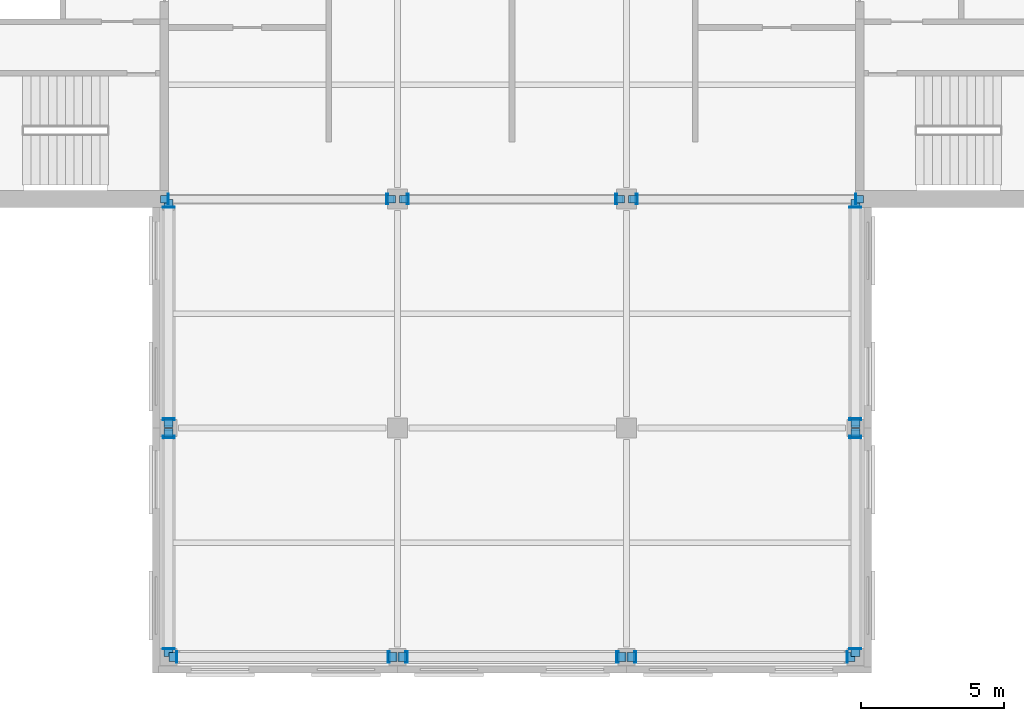
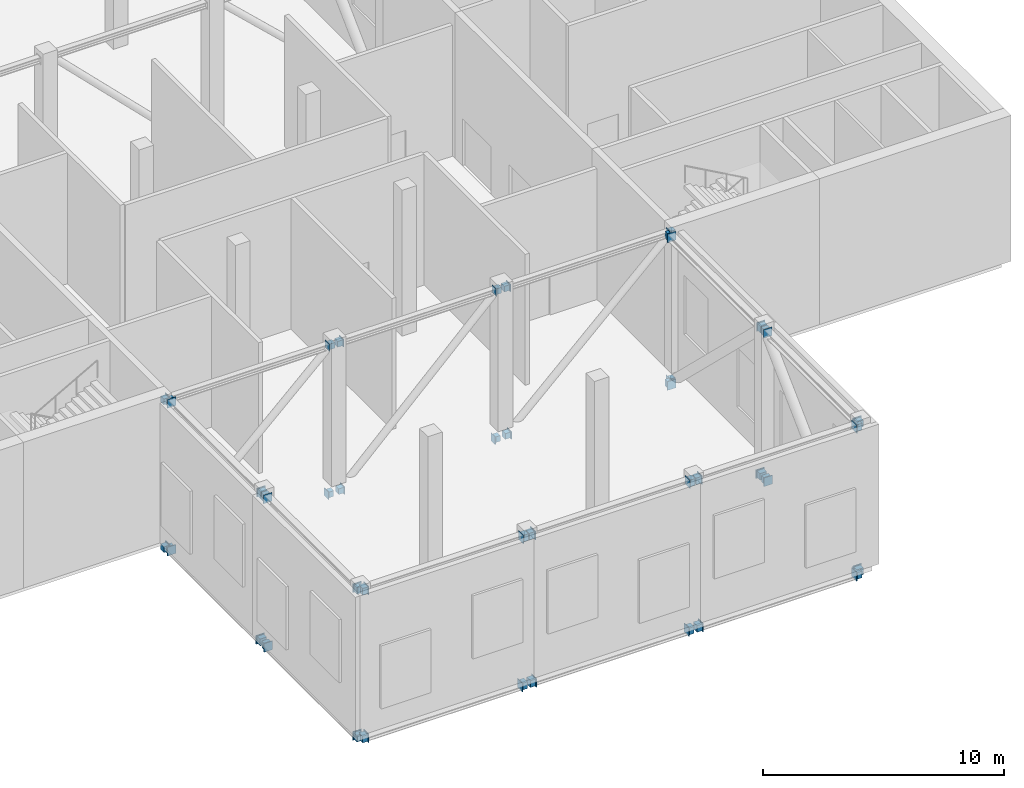
# One storey, part 8 of 10: 80 discrete accessories.
"""IFC4 building model written with IfcOpenShell, lengths in metres."""

from ifc_helpers import new_model, si_unit, direction, frame, origin, origin_2d, place, context, subcontext, project, spatial, rectangle, extrude, material, layer, layer_set, type_object, element, save


model = new_model("IFC4")

# Units and contexts
model_context = context("Model", 3, precision=1e-05, world=origin(), true_north=direction((0.0, 1.0)))
body_context = subcontext(model_context, "Body", "Model", "MODEL_VIEW")
ifc_project = project(units=[si_unit("LENGTHUNIT", "METRE"), si_unit("AREAUNIT", "SQUARE_METRE"), si_unit("VOLUMEUNIT", "CUBIC_METRE"), si_unit("PLANEANGLEUNIT", "RADIAN"), si_unit("MASSUNIT", "GRAM", prefix="KILO")], contexts=[model_context])

# Site, building, storey
site_placement = place(None, origin())
site = spatial("IfcSite", under=ifc_project, at=site_placement, CompositionType="ELEMENT")
building_placement = place(site_placement, origin())
building = spatial("IfcBuilding", under=site, at=building_placement, Name="Crosswind Convention Tower", CompositionType="ELEMENT")
storey_placement = place(building_placement, frame((0.0, 0.0, 237.699951171875)))
storey = spatial("IfcBuildingStorey", under=building, at=storey_placement, Name="L51", CompositionType="ELEMENT", Elevation=237.699951171875)

# Discrete accessories
ifc_material = material(Name="Steel S355", Category="steel")
ifc_layer_1 = layer(ifc_material, 0.030029296875)
ifc_layer_set_1 = layer_set([ifc_layer_1], Name="Steel S355")
discrete_accessory_type_1 = type_object("IfcDiscreteAccessoryType", Name="Cast-in plate 365 x 389 x 30", PredefinedType="ANCHORPLATE", material=ifc_layer_set_1)
for number, where, z_axis, x_axis, name in (
    (1, (112.985107421875, 88.0, -0.739013671875), (0.0, 0.0, 1.0), (1.0, 0.0, 0.0), "EP2 L51 cast-in plate"),
    (2, (120.614990234375, 88.0, -0.739013671875), (0.0, 0.0, 1.0), (1.0, 0.0, 0.0), "EP2 L51 cast-in plate"),
    (3, (112.985107421875, 88.0, 6.760986328125), (0.0, 0.0, 1.0), (1.0, 0.0, 0.0), "EP2 L51 cast-in plate"),
    (4, (120.6650390625, 88.0, 6.760986328125), (0.0, 0.0, 1.0), (1.0, 0.0, 0.0), "EP2 L51 cast-in plate"),
    (5, (121.385009765625, 88.0, -0.739013671875), (0.0, 0.0, 1.0), (1.0, 0.0, 0.0), "EP2 L51 cast-in plate"),
    (6, (128.614990234375, 88.0, -0.739013671875), (0.0, 0.0, 1.0), (1.0, 0.0, 0.0), "EP2 L51 cast-in plate"),
    (7, (121.3349609375, 88.0, 6.760986328125), (0.0, 0.0, 1.0), (1.0, 0.0, 0.0), "EP2 L51 cast-in plate"),
    (8, (128.6650390625, 88.0, 6.760986328125), (0.0, 0.0, 1.0), (1.0, 0.0, 0.0), "EP2 L51 cast-in plate"),
    (9, (129.385009765625, 88.0, -0.739013671875), (0.0, 0.0, 1.0), (1.0, 0.0, 0.0), "EP2 L51 cast-in plate"),
    (10, (137.014892578125, 88.0, -0.739013671875), (0.0, 0.0, 1.0), (1.0, 0.0, 0.0), "EP2 L51 cast-in plate"),
    (11, (129.3349609375, 88.0, 6.760986328125), (0.0, 0.0, 1.0), (1.0, 0.0, 0.0), "EP2 L51 cast-in plate"),
    (12, (137.014892578125, 88.0, 6.760986328125), (0.0, 0.0, 1.0), (1.0, 0.0, 0.0), "EP2 L51 cast-in plate"),
):
    element("IfcDiscreteAccessory", number, at=place(storey_placement, frame(where, z_axis=z_axis, x_axis=x_axis)), inside=storey, type_object=discrete_accessory_type_1, Name=name, PredefinedType="ANCHORPLATE", context=body_context, shape_type="SweptSolid", body=[
        extrude(rectangle(XDim=0.030029296875, YDim=0.364501953125, at=origin_2d()), origin(), (0.0, 0.0, 1.0), 0.38916015625),
    ])
ifc_layer_2 = layer(ifc_material, 0.030029296875)
ifc_layer_set_2 = layer_set([ifc_layer_2], Name="Steel S355")
discrete_accessory_type_2 = type_object("IfcDiscreteAccessoryType", Name="Cast-in plate 414 x 440 x 30", PredefinedType="ANCHORPLATE", material=ifc_layer_set_2)
for number, where, z_axis, x_axis, name in (
    (13, (113.0, 72.284912109375, -0.789794921875), (0.0, 0.0, 1.0), (1.0, 0.0, 0.0), "EP1 L51 cast-in plate"),
    (14, (113.0, 79.6650390625, -0.789794921875), (0.0, 0.0, 1.0), (1.0, 0.0, 0.0), "EP1 L51 cast-in plate"),
    (15, (113.0, 72.284912109375, 6.710205078125), (0.0, 0.0, 1.0), (1.0, 0.0, 0.0), "EP1 L51 cast-in plate"),
    (16, (113.0, 79.715087890625, 6.710205078125), (0.0, 0.0, 1.0), (1.0, 0.0, 0.0), "EP1 L51 cast-in plate"),
):
    element("IfcDiscreteAccessory", number, at=place(storey_placement, frame(where, z_axis=z_axis, x_axis=x_axis)), inside=storey, type_object=discrete_accessory_type_2, Name=name, PredefinedType="ANCHORPLATE", context=body_context, shape_type="SweptSolid", body=[
        extrude(rectangle(XDim=0.4140625, YDim=0.030029296875, at=origin_2d()), origin(), (0.0, 0.0, 1.0), 0.43994140625),
    ])
for number, where, z_axis, x_axis, name in (
    (17, (113.284912109375, 72.0, -0.789794921875), (0.0, 0.0, 1.0), (1.0, 0.0, 0.0), "EP1 L51 cast-in plate"),
    (18, (120.6650390625, 72.0, -0.789794921875), (0.0, 0.0, 1.0), (1.0, 0.0, 0.0), "EP1 L51 cast-in plate"),
    (19, (113.284912109375, 72.0, 6.710205078125), (0.0, 0.0, 1.0), (1.0, 0.0, 0.0), "EP1 L51 cast-in plate"),
    (20, (120.715087890625, 72.0, 6.710205078125), (0.0, 0.0, 1.0), (1.0, 0.0, 0.0), "EP1 L51 cast-in plate"),
):
    element("IfcDiscreteAccessory", number, at=place(storey_placement, frame(where, z_axis=z_axis, x_axis=x_axis)), inside=storey, type_object=discrete_accessory_type_2, Name=name, PredefinedType="ANCHORPLATE", context=body_context, shape_type="SweptSolid", body=[
        extrude(rectangle(XDim=0.030029296875, YDim=0.4140625, at=origin_2d()), origin(), (0.0, 0.0, 1.0), 0.43994140625),
    ])
for number, where, z_axis, x_axis, name in (
    (21, (113.0, 80.3349609375, -0.789794921875), (0.0, 0.0, 1.0), (1.0, 0.0, 0.0), "EP1 L51 cast-in plate"),
    (22, (113.0, 87.715087890625, -0.789794921875), (0.0, 0.0, 1.0), (1.0, 0.0, 0.0), "EP1 L51 cast-in plate"),
    (23, (113.0, 80.284912109375, 6.710205078125), (0.0, 0.0, 1.0), (1.0, 0.0, 0.0), "EP1 L51 cast-in plate"),
    (24, (113.0, 87.715087890625, 6.710205078125), (0.0, 0.0, 1.0), (1.0, 0.0, 0.0), "EP1 L51 cast-in plate"),
):
    element("IfcDiscreteAccessory", number, at=place(storey_placement, frame(where, z_axis=z_axis, x_axis=x_axis)), inside=storey, type_object=discrete_accessory_type_2, Name=name, PredefinedType="ANCHORPLATE", context=body_context, shape_type="SweptSolid", body=[
        extrude(rectangle(XDim=0.4140625, YDim=0.030029296875, at=origin_2d()), origin(), (0.0, 0.0, 1.0), 0.43994140625),
    ])
for number, where, z_axis, x_axis, name in (
    (25, (121.3349609375, 72.0, -0.789794921875), (0.0, 0.0, 1.0), (1.0, 0.0, 0.0), "EP1 L51 cast-in plate"),
    (26, (128.6650390625, 72.0, -0.789794921875), (0.0, 0.0, 1.0), (1.0, 0.0, 0.0), "EP1 L51 cast-in plate"),
    (27, (121.284912109375, 72.0, 6.710205078125), (0.0, 0.0, 1.0), (1.0, 0.0, 0.0), "EP1 L51 cast-in plate"),
    (28, (128.715087890625, 72.0, 6.710205078125), (0.0, 0.0, 1.0), (1.0, 0.0, 0.0), "EP1 L51 cast-in plate"),
    (29, (129.3349609375, 72.0, -0.789794921875), (0.0, 0.0, 1.0), (1.0, 0.0, 0.0), "EP1 L51 cast-in plate"),
    (30, (136.715087890625, 72.0, -0.789794921875), (0.0, 0.0, 1.0), (1.0, 0.0, 0.0), "EP1 L51 cast-in plate"),
    (31, (129.284912109375, 72.0, 6.710205078125), (0.0, 0.0, 1.0), (1.0, 0.0, 0.0), "EP1 L51 cast-in plate"),
    (32, (136.715087890625, 72.0, 6.710205078125), (0.0, 0.0, 1.0), (1.0, 0.0, 0.0), "EP1 L51 cast-in plate"),
):
    element("IfcDiscreteAccessory", number, at=place(storey_placement, frame(where, z_axis=z_axis, x_axis=x_axis)), inside=storey, type_object=discrete_accessory_type_2, Name=name, PredefinedType="ANCHORPLATE", context=body_context, shape_type="SweptSolid", body=[
        extrude(rectangle(XDim=0.030029296875, YDim=0.4140625, at=origin_2d()), origin(), (0.0, 0.0, 1.0), 0.43994140625),
    ])
for number, where, z_axis, x_axis, name in (
    (33, (137.0, 72.284912109375, -0.789794921875), (0.0, 0.0, 1.0), (1.0, 0.0, 0.0), "EP1 L51 cast-in plate"),
    (34, (137.0, 79.6650390625, -0.789794921875), (0.0, 0.0, 1.0), (1.0, 0.0, 0.0), "EP1 L51 cast-in plate"),
    (35, (137.0, 72.284912109375, 6.710205078125), (0.0, 0.0, 1.0), (1.0, 0.0, 0.0), "EP1 L51 cast-in plate"),
    (36, (137.0, 79.715087890625, 6.710205078125), (0.0, 0.0, 1.0), (1.0, 0.0, 0.0), "EP1 L51 cast-in plate"),
    (37, (137.0, 80.3349609375, -0.789794921875), (0.0, 0.0, 1.0), (1.0, 0.0, 0.0), "EP1 L51 cast-in plate"),
    (38, (137.0, 87.715087890625, -0.789794921875), (0.0, 0.0, 1.0), (1.0, 0.0, 0.0), "EP1 L51 cast-in plate"),
    (39, (137.0, 80.284912109375, 6.710205078125), (0.0, 0.0, 1.0), (1.0, 0.0, 0.0), "EP1 L51 cast-in plate"),
    (40, (137.0, 87.715087890625, 6.710205078125), (0.0, 0.0, 1.0), (1.0, 0.0, 0.0), "EP1 L51 cast-in plate"),
):
    element("IfcDiscreteAccessory", number, at=place(storey_placement, frame(where, z_axis=z_axis, x_axis=x_axis)), inside=storey, type_object=discrete_accessory_type_2, Name=name, PredefinedType="ANCHORPLATE", context=body_context, shape_type="SweptSolid", body=[
        extrude(rectangle(XDim=0.4140625, YDim=0.030029296875, at=origin_2d()), origin(), (0.0, 0.0, 1.0), 0.43994140625),
    ])
discrete_accessory_type_3 = type_object("IfcDiscreteAccessoryType", Name="Headed stud group 265 x 289 x 250", PredefinedType="USERDEFINED", material=ifc_material)
for number, where, z_axis, x_axis, name in (
    (41, (112.844970703125, 88.0, -0.68896484375), (0.0, 0.0, 1.0), (1.0, 0.0, 0.0), "AB2 L51 headed stud group"),
    (42, (120.7548828125, 88.0, -0.68896484375), (0.0, 0.0, 1.0), (1.0, 0.0, 0.0), "AB2 L51 headed stud group"),
    (43, (112.844970703125, 88.0, 6.81103515625), (0.0, 0.0, 1.0), (1.0, 0.0, 0.0), "AB2 L51 headed stud group"),
    (44, (120.804931640625, 88.0, 6.81103515625), (0.0, 0.0, 1.0), (1.0, 0.0, 0.0), "AB2 L51 headed stud group"),
    (45, (121.2451171875, 88.0, -0.68896484375), (0.0, 0.0, 1.0), (1.0, 0.0, 0.0), "AB2 L51 headed stud group"),
    (46, (128.7548828125, 88.0, -0.68896484375), (0.0, 0.0, 1.0), (1.0, 0.0, 0.0), "AB2 L51 headed stud group"),
    (47, (121.195068359375, 88.0, 6.81103515625), (0.0, 0.0, 1.0), (1.0, 0.0, 0.0), "AB2 L51 headed stud group"),
    (48, (128.804931640625, 88.0, 6.81103515625), (0.0, 0.0, 1.0), (1.0, 0.0, 0.0), "AB2 L51 headed stud group"),
    (49, (129.2451171875, 88.0, -0.68896484375), (0.0, 0.0, 1.0), (1.0, 0.0, 0.0), "AB2 L51 headed stud group"),
    (50, (137.155029296875, 88.0, -0.68896484375), (0.0, 0.0, 1.0), (1.0, 0.0, 0.0), "AB2 L51 headed stud group"),
    (51, (129.195068359375, 88.0, 6.81103515625), (0.0, 0.0, 1.0), (1.0, 0.0, 0.0), "AB2 L51 headed stud group"),
    (52, (137.155029296875, 88.0, 6.81103515625), (0.0, 0.0, 1.0), (1.0, 0.0, 0.0), "AB2 L51 headed stud group"),
):
    element("IfcDiscreteAccessory", number, at=place(storey_placement, frame(where, z_axis=z_axis, x_axis=x_axis)), inside=storey, type_object=discrete_accessory_type_3, Name=name, ObjectType="HEADED STUD GROUP", PredefinedType="USERDEFINED", context=body_context, shape_type="SweptSolid", body=[
        extrude(rectangle(XDim=0.25, YDim=0.264404296875, at=origin_2d()), origin(), (0.0, 0.0, 1.0), 0.2890625),
    ])
discrete_accessory_type_4 = type_object("IfcDiscreteAccessoryType", Name="Headed stud group 314 x 340 x 250", PredefinedType="USERDEFINED", material=ifc_material)
for number, where, z_axis, x_axis, name in (
    (53, (113.0, 72.14501953125, -0.73974609375), (0.0, 0.0, 1.0), (1.0, 0.0, 0.0), "AB1 L51 headed stud group"),
    (54, (113.0, 79.804931640625, -0.73974609375), (0.0, 0.0, 1.0), (1.0, 0.0, 0.0), "AB1 L51 headed stud group"),
    (55, (113.0, 72.14501953125, 6.76025390625), (0.0, 0.0, 1.0), (1.0, 0.0, 0.0), "AB1 L51 headed stud group"),
    (56, (113.0, 79.85498046875, 6.76025390625), (0.0, 0.0, 1.0), (1.0, 0.0, 0.0), "AB1 L51 headed stud group"),
):
    element("IfcDiscreteAccessory", number, at=place(storey_placement, frame(where, z_axis=z_axis, x_axis=x_axis)), inside=storey, type_object=discrete_accessory_type_4, Name=name, ObjectType="HEADED STUD GROUP", PredefinedType="USERDEFINED", context=body_context, shape_type="SweptSolid", body=[
        extrude(rectangle(XDim=0.314208984375, YDim=0.25, at=origin_2d()), origin(), (0.0, 0.0, 1.0), 0.33984375),
    ])
for number, where, z_axis, x_axis, name in (
    (57, (113.14501953125, 72.0, -0.73974609375), (0.0, 0.0, 1.0), (1.0, 0.0, 0.0), "AB1 L51 headed stud group"),
    (58, (120.804931640625, 72.0, -0.73974609375), (0.0, 0.0, 1.0), (1.0, 0.0, 0.0), "AB1 L51 headed stud group"),
    (59, (113.14501953125, 72.0, 6.76025390625), (0.0, 0.0, 1.0), (1.0, 0.0, 0.0), "AB1 L51 headed stud group"),
    (60, (120.85498046875, 72.0, 6.76025390625), (0.0, 0.0, 1.0), (1.0, 0.0, 0.0), "AB1 L51 headed stud group"),
):
    element("IfcDiscreteAccessory", number, at=place(storey_placement, frame(where, z_axis=z_axis, x_axis=x_axis)), inside=storey, type_object=discrete_accessory_type_4, Name=name, ObjectType="HEADED STUD GROUP", PredefinedType="USERDEFINED", context=body_context, shape_type="SweptSolid", body=[
        extrude(rectangle(XDim=0.25, YDim=0.314208984375, at=origin_2d()), origin(), (0.0, 0.0, 1.0), 0.33984375),
    ])
for number, where, z_axis, x_axis, name in (
    (61, (113.0, 80.195068359375, -0.73974609375), (0.0, 0.0, 1.0), (1.0, 0.0, 0.0), "AB1 L51 headed stud group"),
    (62, (113.0, 87.85498046875, -0.73974609375), (0.0, 0.0, 1.0), (1.0, 0.0, 0.0), "AB1 L51 headed stud group"),
    (63, (113.0, 80.14501953125, 6.76025390625), (0.0, 0.0, 1.0), (1.0, 0.0, 0.0), "AB1 L51 headed stud group"),
    (64, (113.0, 87.85498046875, 6.76025390625), (0.0, 0.0, 1.0), (1.0, 0.0, 0.0), "AB1 L51 headed stud group"),
):
    element("IfcDiscreteAccessory", number, at=place(storey_placement, frame(where, z_axis=z_axis, x_axis=x_axis)), inside=storey, type_object=discrete_accessory_type_4, Name=name, ObjectType="HEADED STUD GROUP", PredefinedType="USERDEFINED", context=body_context, shape_type="SweptSolid", body=[
        extrude(rectangle(XDim=0.314208984375, YDim=0.25, at=origin_2d()), origin(), (0.0, 0.0, 1.0), 0.33984375),
    ])
for number, where, z_axis, x_axis, name in (
    (65, (121.195068359375, 72.0, -0.73974609375), (0.0, 0.0, 1.0), (1.0, 0.0, 0.0), "AB1 L51 headed stud group"),
    (66, (128.804931640625, 72.0, -0.73974609375), (0.0, 0.0, 1.0), (1.0, 0.0, 0.0), "AB1 L51 headed stud group"),
    (67, (121.14501953125, 72.0, 6.76025390625), (0.0, 0.0, 1.0), (1.0, 0.0, 0.0), "AB1 L51 headed stud group"),
    (68, (128.85498046875, 72.0, 6.76025390625), (0.0, 0.0, 1.0), (1.0, 0.0, 0.0), "AB1 L51 headed stud group"),
    (69, (129.195068359375, 72.0, -0.73974609375), (0.0, 0.0, 1.0), (1.0, 0.0, 0.0), "AB1 L51 headed stud group"),
    (70, (136.85498046875, 72.0, -0.73974609375), (0.0, 0.0, 1.0), (1.0, 0.0, 0.0), "AB1 L51 headed stud group"),
    (71, (129.14501953125, 72.0, 6.76025390625), (0.0, 0.0, 1.0), (1.0, 0.0, 0.0), "AB1 L51 headed stud group"),
    (72, (136.85498046875, 72.0, 6.76025390625), (0.0, 0.0, 1.0), (1.0, 0.0, 0.0), "AB1 L51 headed stud group"),
):
    element("IfcDiscreteAccessory", number, at=place(storey_placement, frame(where, z_axis=z_axis, x_axis=x_axis)), inside=storey, type_object=discrete_accessory_type_4, Name=name, ObjectType="HEADED STUD GROUP", PredefinedType="USERDEFINED", context=body_context, shape_type="SweptSolid", body=[
        extrude(rectangle(XDim=0.25, YDim=0.314208984375, at=origin_2d()), origin(), (0.0, 0.0, 1.0), 0.33984375),
    ])
for number, where, z_axis, x_axis, name in (
    (73, (137.0, 72.14501953125, -0.73974609375), (0.0, 0.0, 1.0), (1.0, 0.0, 0.0), "AB1 L51 headed stud group"),
    (74, (137.0, 79.804931640625, -0.73974609375), (0.0, 0.0, 1.0), (1.0, 0.0, 0.0), "AB1 L51 headed stud group"),
    (75, (137.0, 72.14501953125, 6.76025390625), (0.0, 0.0, 1.0), (1.0, 0.0, 0.0), "AB1 L51 headed stud group"),
    (76, (137.0, 79.85498046875, 6.76025390625), (0.0, 0.0, 1.0), (1.0, 0.0, 0.0), "AB1 L51 headed stud group"),
    (77, (137.0, 80.195068359375, -0.73974609375), (0.0, 0.0, 1.0), (1.0, 0.0, 0.0), "AB1 L51 headed stud group"),
    (78, (137.0, 87.85498046875, -0.73974609375), (0.0, 0.0, 1.0), (1.0, 0.0, 0.0), "AB1 L51 headed stud group"),
    (79, (137.0, 80.14501953125, 6.76025390625), (0.0, 0.0, 1.0), (1.0, 0.0, 0.0), "AB1 L51 headed stud group"),
    (80, (137.0, 87.85498046875, 6.76025390625), (0.0, 0.0, 1.0), (1.0, 0.0, 0.0), "AB1 L51 headed stud group"),
):
    element("IfcDiscreteAccessory", number, at=place(storey_placement, frame(where, z_axis=z_axis, x_axis=x_axis)), inside=storey, type_object=discrete_accessory_type_4, Name=name, ObjectType="HEADED STUD GROUP", PredefinedType="USERDEFINED", context=body_context, shape_type="SweptSolid", body=[
        extrude(rectangle(XDim=0.314208984375, YDim=0.25, at=origin_2d()), origin(), (0.0, 0.0, 1.0), 0.33984375),
    ])

save(model, "model.ifc")
